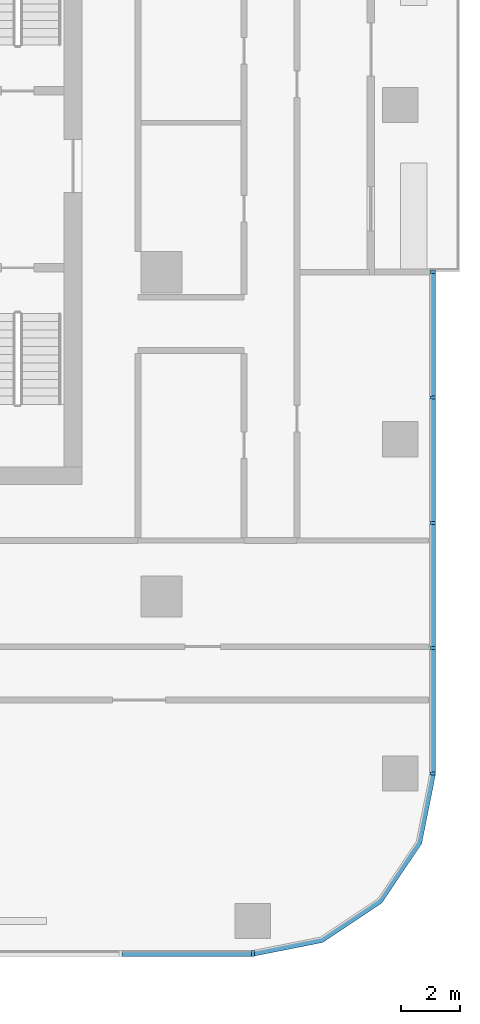
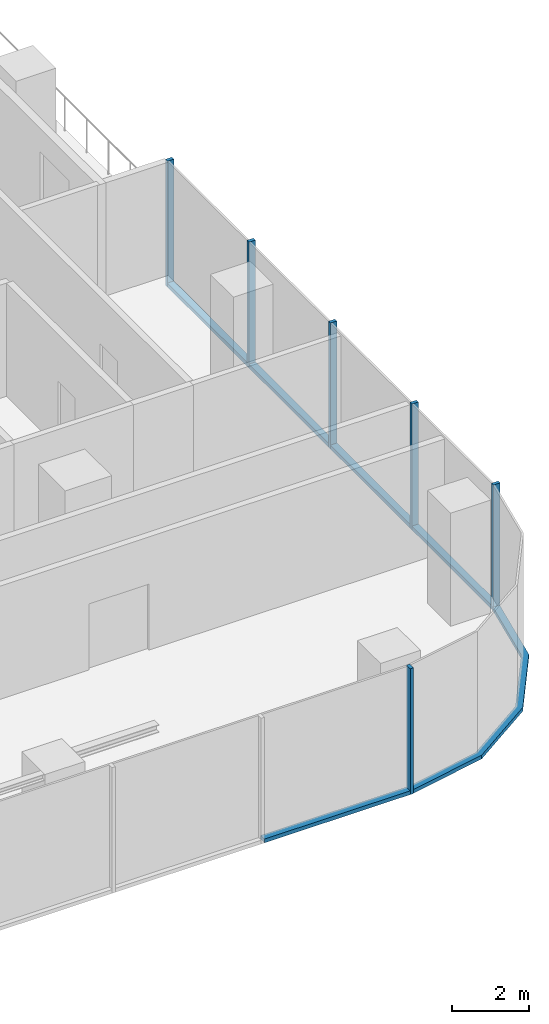
# One storey, part 3 of 15: 12 members, 3 elements without a shape of their own.
"""IFC4 building model written with IfcOpenShell, lengths in metres."""

from ifc_helpers import new_model, si_unit, direction, frame, origin, origin_2d, place, context, subcontext, project, spatial, polyline, rectangle, outline, extrude, material, material_profile, profile_set, type_object, element, aggregate, save


model = new_model("IFC4")

# Units and contexts
model_context = context("Model", 3, precision=1e-05, world=origin(), true_north=direction((0.0, 1.0)))
body_context = subcontext(model_context, "Body", "Model", "MODEL_VIEW")
ifc_project = project(units=[si_unit("LENGTHUNIT", "METRE"), si_unit("AREAUNIT", "SQUARE_METRE"), si_unit("VOLUMEUNIT", "CUBIC_METRE"), si_unit("PLANEANGLEUNIT", "RADIAN"), si_unit("MASSUNIT", "GRAM", prefix="KILO")], contexts=[model_context])

# Site, building, storey
site_placement = place(None, origin())
site = spatial("IfcSite", under=ifc_project, at=site_placement, CompositionType="ELEMENT")
building_placement = place(site_placement, origin())
building = spatial("IfcBuilding", under=site, at=building_placement, Name="Mopane Tessera Tower", CompositionType="ELEMENT")
storey_placement = place(building_placement, frame((0.0, 0.0, 177.0)))
storey = spatial("IfcBuildingStorey", under=building, at=storey_placement, Name="L36", CompositionType="ELEMENT", Elevation=177.0)

# Curtain wall, member
ifc_material_1 = material(Name="Aluminium frame", Category="aluminium")
curtain_wall_type = type_object("IfcCurtainWallType", Name="Unitised curtain wall", PredefinedType="NOTDEFINED", material=ifc_material_1)
curtain_wall_1_placement = place(storey_placement, origin())
curtain_wall_1 = element("IfcCurtainWall", 1, at=curtain_wall_1_placement, inside=storey, type_object=curtain_wall_type, Name="e:cw:L36:S:6", PredefinedType="NOTDEFINED")
ifc_material_2 = material(Name="Aluminium frame", Category="aluminium")
ifc_material_profile_1 = material_profile(ifc_material_2, rectangle(XDim=0.10009765625, YDim=0.199951171875, at=origin_2d()))
ifc_profile_set_1 = profile_set([ifc_material_profile_1], Name="Aluminium frame")
member_type_1 = type_object("IfcMemberType", Name="Aluminium mullion 100 x 200", PredefinedType="MULLION", material=ifc_profile_set_1)
member_1_placement = place(storey_placement, frame((20.199951171875, -23.10009765625, -0.39990234375), z_axis=(0.0, 0.0, 1.0), x_axis=(1.0, 0.0, 0.0)))
member_1 = element("IfcMember", 2, at=member_1_placement, type_object=member_type_1, Name="e:cw:L36:S:6:mu9", PredefinedType="MULLION", context=body_context, shape_type="SweptSolid", body=[
    extrude(rectangle(XDim=0.10009765625, YDim=0.199951171875, at=origin_2d()), origin(), (0.0, 0.0, 1.0), 4.0),
])

# Curtain wall, members
curtain_wall_2_placement = place(storey_placement, origin())
curtain_wall_2 = element("IfcCurtainWall", 3, at=curtain_wall_2_placement, inside=storey, type_object=curtain_wall_type, Name="e:cw:L36:E:0", PredefinedType="NOTDEFINED")
member_2_placement = place(storey_placement, frame((26.300048828125, -17.0, -0.39990234375), z_axis=(0.0, 0.0, 1.0), x_axis=(0.0, 1.0, 0.0)))
member_2 = element("IfcMember", 4, at=member_2_placement, type_object=member_type_1, Name="e:cw:L36:E:0:mu0", PredefinedType="MULLION", context=body_context, shape_type="SweptSolid", body=[
    extrude(rectangle(XDim=0.10009765625, YDim=0.199951171875, at=origin_2d()), origin(), (0.0, 0.0, 1.0), 4.0),
])
member_3_placement = place(storey_placement, frame((26.300048828125, -12.75, -0.39990234375), z_axis=(0.0, 0.0, 1.0), x_axis=(0.0, 1.0, 0.0)))
member_3 = element("IfcMember", 5, at=member_3_placement, type_object=member_type_1, Name="e:cw:L36:E:0:mu1", PredefinedType="MULLION", context=body_context, shape_type="SweptSolid", body=[
    extrude(rectangle(XDim=0.10009765625, YDim=0.199951171875, at=origin_2d()), origin(), (0.0, 0.0, 1.0), 4.0),
])
member_4_placement = place(storey_placement, frame((26.300048828125, -8.5, -0.39990234375), z_axis=(0.0, 0.0, 1.0), x_axis=(0.0, 1.0, 0.0)))
member_4 = element("IfcMember", 6, at=member_4_placement, type_object=member_type_1, Name="e:cw:L36:E:0:mu2", PredefinedType="MULLION", context=body_context, shape_type="SweptSolid", body=[
    extrude(rectangle(XDim=0.10009765625, YDim=0.199951171875, at=origin_2d()), origin(), (0.0, 0.0, 1.0), 4.0),
])
member_5_placement = place(storey_placement, frame((26.300048828125, -4.25, -0.39990234375), z_axis=(0.0, 0.0, 1.0), x_axis=(0.0, 1.0, 0.0)))
member_5 = element("IfcMember", 7, at=member_5_placement, type_object=member_type_1, Name="e:cw:L36:E:0:mu3", PredefinedType="MULLION", context=body_context, shape_type="SweptSolid", body=[
    extrude(rectangle(XDim=0.10009765625, YDim=0.199951171875, at=origin_2d()), origin(), (0.0, 0.0, 1.0), 4.0),
])
member_6_placement = place(storey_placement, frame((26.300048828125, 0.0, -0.39990234375), z_axis=(0.0, 0.0, 1.0), x_axis=(0.0, 1.0, 0.0)))
member_6 = element("IfcMember", 8, at=member_6_placement, type_object=member_type_1, Name="e:cw:L36:E:0:mu4", PredefinedType="MULLION", context=body_context, shape_type="SweptSolid", body=[
    extrude(rectangle(XDim=0.10009765625, YDim=0.199951171875, at=origin_2d()), origin(), (0.0, 0.0, 1.0), 4.0),
])

# Member
ifc_material_3 = material(Name="Aluminium frame", Category="aluminium")
ifc_material_profile_2 = material_profile(ifc_material_3, rectangle(XDim=0.199951171875, YDim=0.1201171875, at=origin_2d()))
ifc_profile_set_2 = profile_set([ifc_material_profile_2], Name="Aluminium frame")
member_type_2 = type_object("IfcMemberType", Name="Aluminium transom 200 x 120", PredefinedType="USERDEFINED", material=ifc_profile_set_2)
member_7_placement = place(storey_placement, frame((15.76123046875, -23.10009765625, -0.340087890625), z_axis=(1.0, 0.0, 0.0), x_axis=(0.0, 1.0, 0.0)))
member_7 = element("IfcMember", 9, at=member_7_placement, type_object=member_type_2, Name="e:cw:L36:S:6:tr8", ObjectType="TRANSOM", PredefinedType="USERDEFINED", context=body_context, shape_type="SweptSolid", body=[
    extrude(rectangle(XDim=0.199951171875, YDim=0.1201171875, at=origin_2d()), origin(), (0.0, 0.0, 1.0), 4.388671875),
])

aggregate(curtain_wall_1, [member_1, member_7])

# Curtain wall, member
curtain_wall_3_placement = place(storey_placement, origin())
curtain_wall_3 = element("IfcCurtainWall", 10, at=curtain_wall_3_placement, inside=storey, type_object=curtain_wall_type, Name="e:cw:L36:CS", PredefinedType="NOTDEFINED")
member_8_placement = place(storey_placement, frame((0.0, 0.0, -0.39990234375)))
member_8 = element("IfcMember", 11, at=member_8_placement, type_object=member_type_2, Name="e:cw:L36:CS:tr", ObjectType="TRANSOM", PredefinedType="USERDEFINED", context=body_context, shape_type="SweptSolid", body=[
    extrude(outline(polyline([(20.199951171875, -23.0), (22.49609375, -22.543212890625), (24.442626953125, -21.24267578125), (25.7431640625, -19.296142578125), (26.199951171875, -17.0), (26.39990234375, -17.0), (25.927978515625, -19.37255859375), (24.583984375, -21.384033203125), (22.57275390625, -22.72802734375), (20.199951171875, -23.199951171875), (20.199951171875, -23.0)])), origin(), (0.0, 0.0, 1.0), 0.119873046875),
])
aggregate(curtain_wall_3, [member_8])

# Member
member_9_placement = place(storey_placement, frame((26.300048828125, -16.949951171875, -0.340087890625), z_axis=(0.0, 1.0, 0.0), x_axis=(-1.0, 0.0, 0.0)))
member_9 = element("IfcMember", 12, at=member_9_placement, type_object=member_type_2, Name="e:cw:L36:E:0:tr0", ObjectType="TRANSOM", PredefinedType="USERDEFINED", context=body_context, shape_type="SweptSolid", body=[
    extrude(rectangle(XDim=0.199951171875, YDim=0.1201171875, at=origin_2d()), origin(), (0.0, 0.0, 1.0), 4.14990234375),
])

member_10_placement = place(storey_placement, frame((26.300048828125, -12.699951171875, -0.340087890625), z_axis=(0.0, 1.0, 0.0), x_axis=(-1.0, 0.0, 0.0)))
member_10 = element("IfcMember", 13, at=member_10_placement, type_object=member_type_2, Name="e:cw:L36:E:0:tr1", ObjectType="TRANSOM", PredefinedType="USERDEFINED", context=body_context, shape_type="SweptSolid", body=[
    extrude(rectangle(XDim=0.199951171875, YDim=0.1201171875, at=origin_2d()), origin(), (0.0, 0.0, 1.0), 4.14990234375),
])

member_11_placement = place(storey_placement, frame((26.300048828125, -8.449951171875, -0.340087890625), z_axis=(0.0, 1.0, 0.0), x_axis=(-1.0, 0.0, 0.0)))
member_11 = element("IfcMember", 14, at=member_11_placement, type_object=member_type_2, Name="e:cw:L36:E:0:tr2", ObjectType="TRANSOM", PredefinedType="USERDEFINED", context=body_context, shape_type="SweptSolid", body=[
    extrude(rectangle(XDim=0.199951171875, YDim=0.1201171875, at=origin_2d()), origin(), (0.0, 0.0, 1.0), 4.14990234375),
])

member_12_placement = place(storey_placement, frame((26.300048828125, -4.199951171875, -0.340087890625), z_axis=(0.0, 1.0, 0.0), x_axis=(-1.0, 0.0, 0.0)))
member_12 = element("IfcMember", 15, at=member_12_placement, type_object=member_type_2, Name="e:cw:L36:E:0:tr3", ObjectType="TRANSOM", PredefinedType="USERDEFINED", context=body_context, shape_type="SweptSolid", body=[
    extrude(rectangle(XDim=0.199951171875, YDim=0.1201171875, at=origin_2d()), origin(), (0.0, 0.0, 1.0), 4.14990234375),
])

aggregate(curtain_wall_2, [member_2, member_3, member_4, member_5, member_6, member_9, member_10, member_11, member_12])

save(model, "model.ifc")
